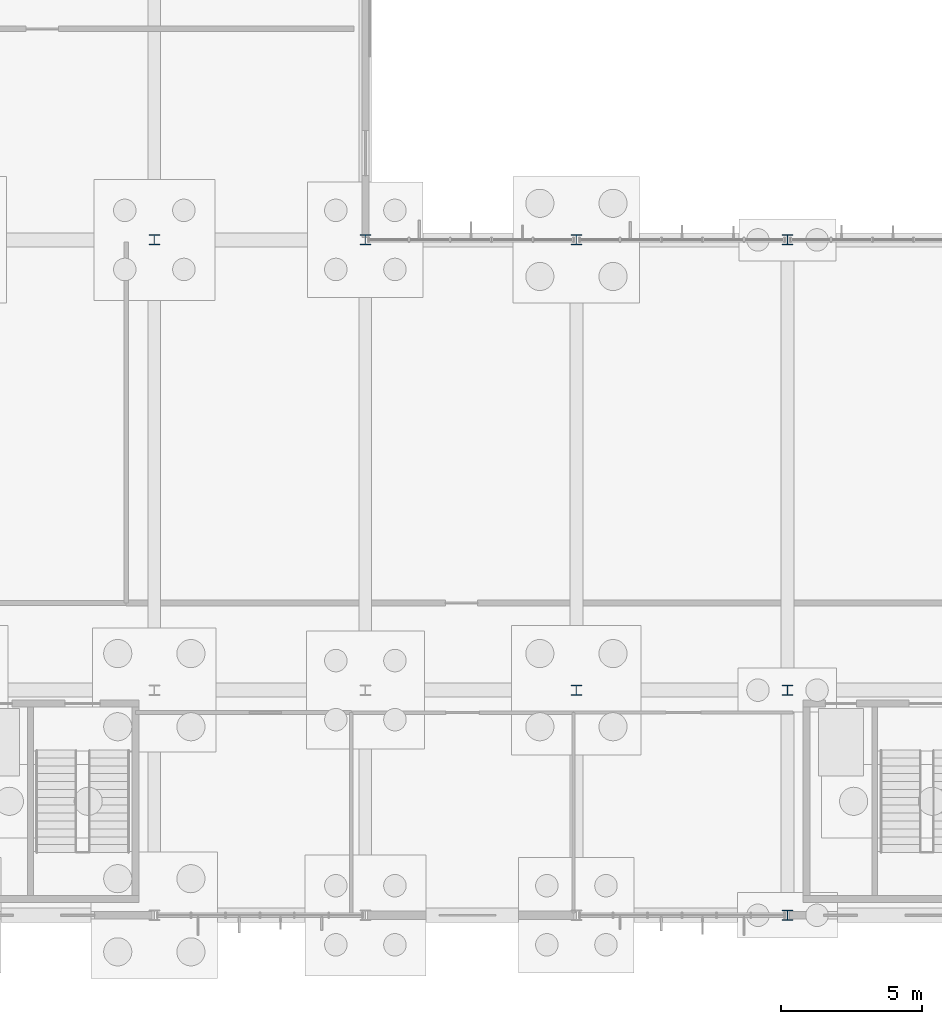
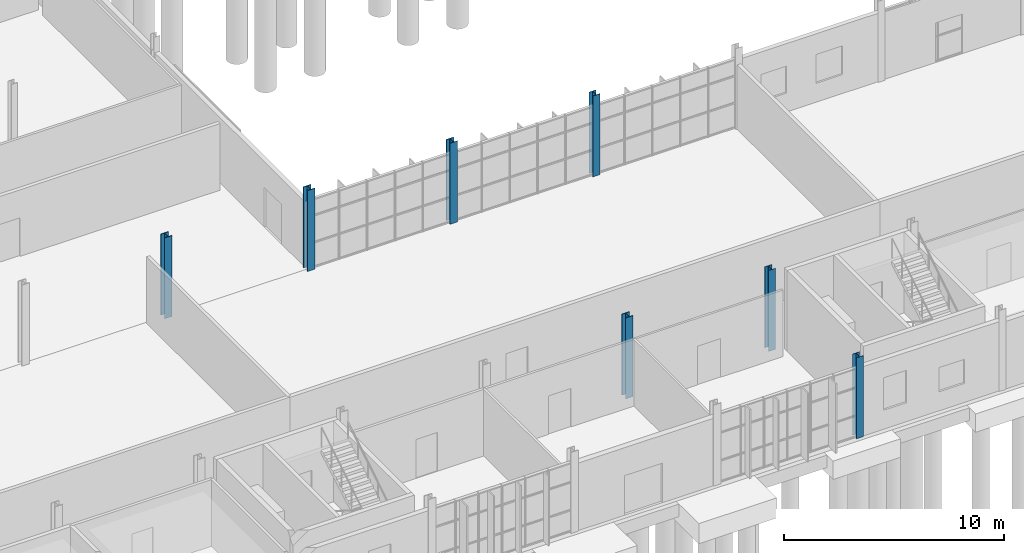
# One storey, part 11 of 136: 7 columns.
"""IFC4 building model written with IfcOpenShell, lengths in metres."""

from ifc_helpers import new_model, si_unit, direction, frame, origin, origin_2d, place, context, subcontext, project, spatial, i_section, extrude, material, material_profile, profile_set, type_object, element, save


model = new_model("IFC4")

# Units and contexts
model_context = context("Model", 3, precision=1e-05, world=origin(), true_north=direction((0.0, 1.0)))
body_context = subcontext(model_context, "Body", "Model", "MODEL_VIEW")
ifc_project = project(units=[si_unit("LENGTHUNIT", "METRE"), si_unit("AREAUNIT", "SQUARE_METRE"), si_unit("VOLUMEUNIT", "CUBIC_METRE"), si_unit("PLANEANGLEUNIT", "RADIAN"), si_unit("MASSUNIT", "GRAM", prefix="KILO")], contexts=[model_context])

# Site, building, storey
site_placement = place(None, origin())
site = spatial("IfcSite", under=ifc_project, at=site_placement, CompositionType="ELEMENT")
building_placement = place(site_placement, origin())
building = spatial("IfcBuilding", under=site, at=building_placement, Name="Solvenia Promenade Tram Depot", CompositionType="ELEMENT")
storey_placement = place(building_placement, origin())
storey = spatial("IfcBuildingStorey", under=building, at=storey_placement, Name="L00", CompositionType="ELEMENT", Elevation=0.0)

# Columns
ifc_material = material(Name="Structural steel ASTM A992 Gr. 50", Category="steel")
ifc_material_profile_1 = material_profile(ifc_material, i_section(OverallWidth=0.3701171875, OverallDepth=0.360107421875, WebThickness=0.01220703125, FlangeThickness=0.019775390625, FilletRadius=0.014892578125, at=origin_2d()), Name="W360x147", Category="steel")
ifc_profile_set_1 = profile_set([ifc_material_profile_1], Name="Structural steel ASTM A992 Gr. 50")
column_type_1 = type_object("IfcColumnType", Name="Col-W360x147", PredefinedType="COLUMN", material=ifc_profile_set_1)
for number, where, z_axis, x_axis, name in (
    (1, (60.0, 0.0, 0.0), (0.0, 0.0, 1.0), (1.0, 0.0, 0.0), "Steel Column COL-L00-138"),
    (2, (60.0, 8.0, 0.0), (0.0, 0.0, 1.0), (1.0, 0.0, 0.0), "Steel Column COL-L00-140"),
    (3, (60.0, 24.0, 0.0), (0.0, 0.0, 1.0), (1.0, 0.0, 0.0), "Steel Column COL-L00-142"),
):
    element("IfcColumn", number, at=place(storey_placement, frame(where, z_axis=z_axis, x_axis=x_axis)), inside=storey, type_object=column_type_1, Name=name, PredefinedType="COLUMN", context=body_context, shape_type="SweptSolid", body=[
        extrude(i_section(OverallWidth=0.3701171875, OverallDepth=0.360107421875, WebThickness=0.01220703125, FlangeThickness=0.019775390625, FilletRadius=0.014892578125, at=origin_2d()), origin(), (0.0, 0.0, 1.0), 4.5),
    ])
ifc_material_profile_2 = material_profile(ifc_material, i_section(OverallWidth=0.39404296875, OverallDepth=0.375, WebThickness=0.0205078125, FlangeThickness=0.033203125, FilletRadius=0.01806640625, at=origin_2d()), Name="W360x216", Category="steel")
ifc_profile_set_2 = profile_set([ifc_material_profile_2], Name="Structural steel ASTM A992 Gr. 50")
column_type_2 = type_object("IfcColumnType", Name="Col-W360x216", PredefinedType="COLUMN", material=ifc_profile_set_2)
for number, where, z_axis, x_axis, name in (
    (4, (37.5, 24.0, 0.0), (0.0, 0.0, 1.0), (1.0, 0.0, 0.0), "Steel Column COL-L00-094"),
    (5, (45.0, 24.0, 0.0), (0.0, 0.0, 1.0), (1.0, 0.0, 0.0), "Steel Column COL-L00-112"),
    (6, (52.5, 8.0, 0.0), (0.0, 0.0, 1.0), (1.0, 0.0, 0.0), "Steel Column COL-L00-127"),
    (7, (52.5, 24.0, 0.0), (0.0, 0.0, 1.0), (1.0, 0.0, 0.0), "Steel Column COL-L00-130"),
):
    element("IfcColumn", number, at=place(storey_placement, frame(where, z_axis=z_axis, x_axis=x_axis)), inside=storey, type_object=column_type_2, Name=name, PredefinedType="COLUMN", context=body_context, shape_type="SweptSolid", body=[
        extrude(i_section(OverallWidth=0.39404296875, OverallDepth=0.375, WebThickness=0.0205078125, FlangeThickness=0.033203125, FilletRadius=0.01806640625, at=origin_2d()), origin(), (0.0, 0.0, 1.0), 4.5),
    ])

save(model, "model.ifc")
